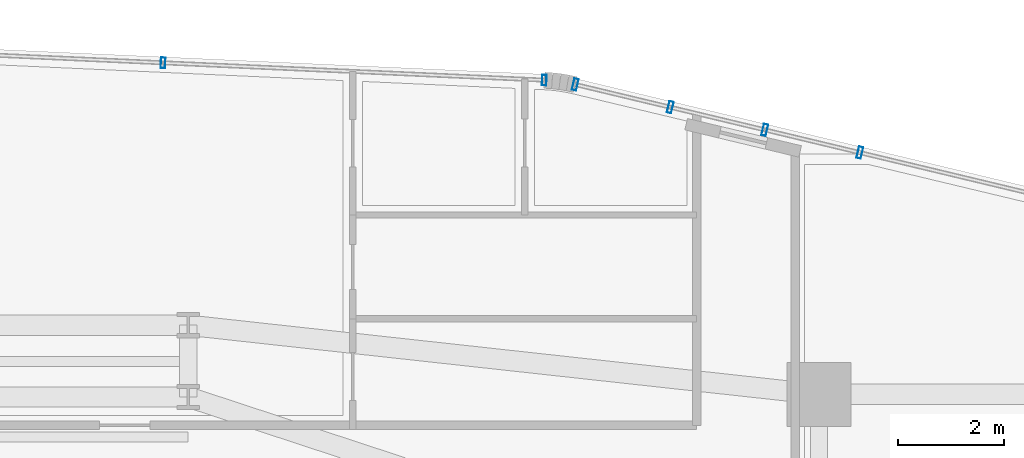
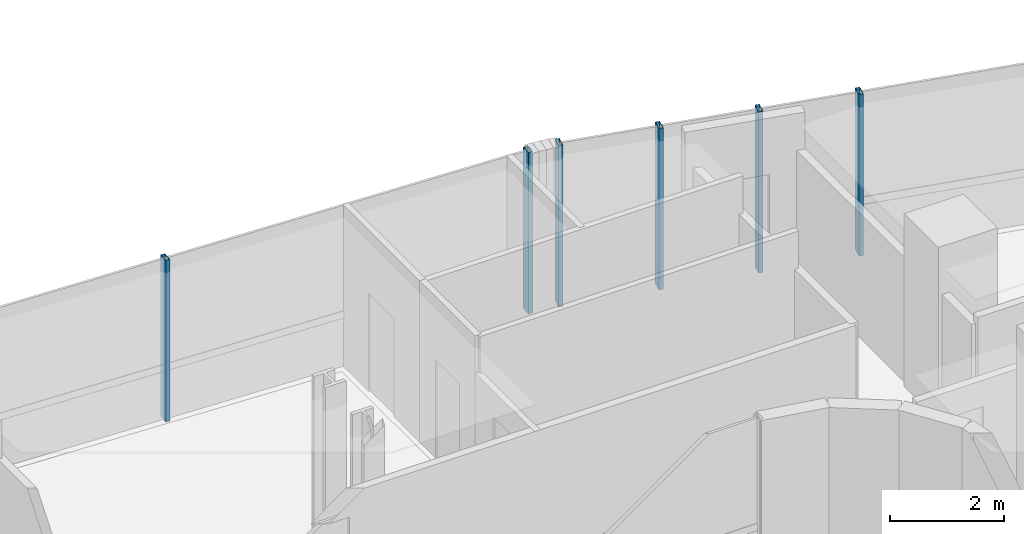
# One storey, part 22 of 35: 6 members, 2 elements without a shape of their own.
"""IFC4 building model written with IfcOpenShell, lengths in metres."""

import ifcopenshell
import ifcopenshell.guid

model = None  # the IFC model being written
_history = None  # IfcOwnerHistory: only IFC2X3 demands one
_inside = {}  # id of a spatial element -> (the spatial element, [elements in it])
_under = {}  # id of a project, library or spatial element -> (it, [spatial elements below it])
_declared = {}  # id of a project -> (the project, [libraries it declares])
_typed = {}  # id of a type object -> (the type object, [elements of that type])
_made_of = {}  # id of a material, layer set ... -> (it, [elements and type objects made of it])


def new_model(schema):
    """Start an empty IFC model of exactly this schema.

    Asked for "IFC4X3", IfcOpenShell would pick the latest addendum, in which some entities
    have other attributes; the version numbers below select the first issue.
    IFC2X3 requires an IfcOwnerHistory on every rooted entity: one is made here for all.
    """
    global model, _history
    if schema == "IFC4X3":
        model = ifcopenshell.file(schema_version=(4, 3, 0, 0))
    else:
        model = ifcopenshell.file(schema=schema)
    _inside.clear()
    _under.clear()
    _declared.clear()
    _typed.clear()
    _made_of.clear()
    _history = None
    if model.schema == "IFC2X3":
        org = make("IfcOrganization", Name="unknown")
        user = make(
            "IfcPersonAndOrganization",
            ThePerson=make("IfcPerson", FamilyName="unknown"),
            TheOrganization=org,
        )
        app = make(
            "IfcApplication",
            ApplicationDeveloper=org,
            Version="unknown",
            ApplicationFullName="unknown",
            ApplicationIdentifier="unknown",
        )
        _history = make(
            "IfcOwnerHistory",
            OwningUser=user,
            OwningApplication=app,
            ChangeAction="ADDED",
            CreationDate=0,
        )
    return model


def make(cls, **values):
    """One entity of the class cls with the attributes given. An attribute that is None is left unset."""
    return model.create_entity(
        cls, **{name: value for name, value in values.items() if value is not None}
    )


def rooted(cls, **values):
    """An entity with a GlobalId (a new one), such as an element, a storey or a relation."""
    return make(cls, GlobalId=ifcopenshell.guid.new(), OwnerHistory=_history, **values)


def si_unit(unit_type, name, prefix=None):
    """IfcSIUnit, for example si_unit("LENGTHUNIT", "METRE", prefix="MILLI")."""
    return make("IfcSIUnit", UnitType=unit_type, Prefix=prefix, Name=name)


def assignment(units):
    """IfcUnitAssignment: the units of a project."""
    return None if units is None else make("IfcUnitAssignment", Units=units)


def point(xyz):
    """IfcCartesianPoint."""
    return None if xyz is None else make("IfcCartesianPoint", Coordinates=xyz)


def direction(xyz):
    """IfcDirection."""
    return None if xyz is None else make("IfcDirection", DirectionRatios=xyz)


def frame(location, z_axis=None, x_axis=None):
    """IfcAxis2Placement3D, a coordinate frame: its origin and axes. An axis left out is left unset."""
    return make(
        "IfcAxis2Placement3D",
        Location=point(location),
        Axis=direction(z_axis),
        RefDirection=direction(x_axis),
    )


def frame_2d(location, x_axis=None):
    """IfcAxis2Placement2D, a coordinate frame in the plane: its origin and x axis."""
    return make(
        "IfcAxis2Placement2D", Location=point(location), RefDirection=direction(x_axis)
    )


def origin():
    """The frame at (0, 0, 0) with its axes left unset."""
    return frame((0.0, 0.0, 0.0))


def origin_2d():
    """The frame at (0, 0) in the plane with its x axis left unset."""
    return frame_2d((0.0, 0.0))


def place(relative_to, where):
    """IfcLocalPlacement: puts the frame where relative to a parent placement (None: the world)."""
    return make(
        "IfcLocalPlacement", PlacementRelTo=relative_to, RelativePlacement=where
    )


def context(
    kind, dimensions, precision=None, world=None, true_north=None, identifier=None
):
    """IfcGeometricRepresentationContext, for example the 3D "Model" context."""
    return make(
        "IfcGeometricRepresentationContext",
        ContextIdentifier=identifier,
        ContextType=kind,
        CoordinateSpaceDimension=dimensions,
        Precision=precision,
        WorldCoordinateSystem=world,
        TrueNorth=true_north,
    )


def subcontext(parent, identifier, kind, view, scale=None):
    """IfcGeometricRepresentationSubContext, for example "Body" below "Model"."""
    return make(
        "IfcGeometricRepresentationSubContext",
        ContextIdentifier=identifier,
        ContextType=kind,
        ParentContext=parent,
        TargetScale=scale,
        TargetView=view,
    )


def project(units=None, contexts=None):
    """IfcProject with its units and contexts."""
    return rooted(
        "IfcProject",
        Name="project",
        RepresentationContexts=contexts,
        UnitsInContext=assignment(units),
    )


def spatial(cls, under=None, at=None, **own):
    """A site, building, storey or space (cls), placed at a placement, below another one or the project."""
    s = rooted(cls, ObjectPlacement=at, **own)
    if under is not None:
        _under.setdefault(under.id(), (under, []))[1].append(s)
    return s


def profile(cls, at=None, kind="AREA", **sizes):
    """A parametric profile (cls). Its sizes go by their IFC names, for example OverallWidth=200.0."""
    return make(cls, ProfileType=kind, Position=at, **sizes)


def hollow_rectangle(**sizes):
    """IfcRectangleHollowProfileDef."""
    return profile("IfcRectangleHollowProfileDef", **sizes)


def extrude(swept, where, along, depth):
    """IfcExtrudedAreaSolid: the profile swept, set in the frame where, extruded along a direction by depth."""
    return make(
        "IfcExtrudedAreaSolid",
        SweptArea=swept,
        Position=where,
        ExtrudedDirection=direction(along),
        Depth=depth,
    )


def shape(context_of_items, identifier, shape_type, items):
    """IfcShapeRepresentation: the items that make up one representation, for example the "Body"."""
    return make(
        "IfcShapeRepresentation",
        ContextOfItems=context_of_items,
        RepresentationIdentifier=identifier,
        RepresentationType=shape_type,
        Items=items,
    )


def source(mapping_origin, context_of_items, identifier, shape_type, items):
    """IfcRepresentationMap: a shape defined once, which mapped items show again and again."""
    return make(
        "IfcRepresentationMap",
        MappingOrigin=mapping_origin,
        MappedRepresentation=shape(context_of_items, identifier, shape_type, items),
    )


def transform(
    local_origin,
    x_axis=None,
    y_axis=None,
    z_axis=None,
    scale=None,
    scale2=None,
    scale3=None,
    uniform=True,
):
    """IfcCartesianTransformationOperator3D, or its non-uniform kind. x_axis, y_axis, z_axis: its Axis1, 2, 3."""
    if uniform:
        return make(
            "IfcCartesianTransformationOperator3D",
            Axis1=direction(x_axis),
            Axis2=direction(y_axis),
            LocalOrigin=point(local_origin),
            Scale=scale,
            Axis3=direction(z_axis),
        )
    return make(
        "IfcCartesianTransformationOperator3DnonUniform",
        Axis1=direction(x_axis),
        Axis2=direction(y_axis),
        LocalOrigin=point(local_origin),
        Scale=scale,
        Axis3=direction(z_axis),
        Scale2=scale2,
        Scale3=scale3,
    )


def mapped(mapping_source, mapping_target):
    """IfcMappedItem: shows the shape of a source again, moved by a transform."""
    return make(
        "IfcMappedItem", MappingSource=mapping_source, MappingTarget=mapping_target
    )


def material(Name=None, Category=None):
    """IfcMaterial."""
    return make("IfcMaterial", Name=Name, Category=Category)


def material_profile(
    of_material, cross_section, Name=None, Category=None, Priority=None
):
    """IfcMaterialProfile: a cross section and its material."""
    return make(
        "IfcMaterialProfile",
        Name=Name,
        Material=of_material,
        Profile=cross_section,
        Priority=Priority,
        Category=Category,
    )


def profile_set(profiles, Name=None, composite=None):
    """IfcMaterialProfileSet."""
    return make(
        "IfcMaterialProfileSet",
        Name=Name,
        MaterialProfiles=profiles,
        CompositeProfile=composite,
    )


def made_of(thing, what):
    """Note that an element or type object is made of a material, layer set ...; save() writes the relation."""
    if what is not None:
        _made_of.setdefault(what.id(), (what, []))[1].append(thing)
    return thing


def type_object(cls, material=None, **own):
    """A type object (cls), such as IfcWallType, which elements share."""
    return made_of(rooted(cls, **own), material)


def element(
    cls,
    number,
    at=None,
    inside=None,
    cuts=None,
    type_object=None,
    material=None,
    context=None,
    identifier="Body",
    shape_type=None,
    held_by="IfcProductDefinitionShape",
    body=None,
    shapes=None,
    **own,
):
    """One element of the class cls, such as IfcWall. Its Tag is "e" and its number.

    at: its placement. inside: the storey or other place that contains it. cuts: it is an
    opening in that element (IfcRelVoidsElement). A single representation is given by context,
    identifier, shape_type and body (its items); several are given by shapes. held_by: the class
    of the entity that holds the representations. save() writes the other relations.
    """
    e = rooted(cls, Tag="e%d" % number, ObjectPlacement=at, **own)
    if body is not None:
        shapes = [shape(context, identifier, shape_type, body)]
    if shapes is not None:
        e.Representation = make(held_by, Representations=shapes)
    if inside is not None:
        _inside.setdefault(inside.id(), (inside, []))[1].append(e)
    if cuts is not None:
        rooted(
            "IfcRelVoidsElement", RelatingBuildingElement=cuts, RelatedOpeningElement=e
        )
    if type_object is not None:
        _typed.setdefault(type_object.id(), (type_object, []))[1].append(e)
    return made_of(e, material)


def aggregate(whole, parts):
    """IfcRelAggregates: a whole, such as a stair, and the parts it consists of."""
    return rooted("IfcRelAggregates", RelatingObject=whole, RelatedObjects=parts)


def save(model, path):
    """Write the relations noted so far, then the file.

    IfcRelAggregates (storeys below a building ...), IfcRelContainedInSpatialStructure (elements
    in a storey), IfcRelDefinesByType, IfcRelAssociatesMaterial and IfcRelDeclares: one each for
    every whole, place, type object, material and project.
    """
    for whole, parts in _under.values():
        aggregate(whole, parts)
    for where, things in _inside.values():
        rooted(
            "IfcRelContainedInSpatialStructure",
            RelatedElements=things,
            RelatingStructure=where,
        )
    for kind, things in _typed.values():
        rooted("IfcRelDefinesByType", RelatedObjects=things, RelatingType=kind)
    for what, things in _made_of.values():
        rooted("IfcRelAssociatesMaterial", RelatedObjects=things, RelatingMaterial=what)
    for by, libraries in _declared.values():
        rooted("IfcRelDeclares", RelatingContext=by, RelatedDefinitions=libraries)
    model.write(path)


model = new_model("IFC4")

# Units and contexts
model_context = context("Model", 3, precision=1e-05, world=origin(), true_north=direction((0.0, 1.0)))
body_context = subcontext(model_context, "Body", "Model", "MODEL_VIEW")
ifc_project = project(units=[si_unit("LENGTHUNIT", "METRE"), si_unit("AREAUNIT", "SQUARE_METRE"), si_unit("VOLUMEUNIT", "CUBIC_METRE"), si_unit("PLANEANGLEUNIT", "RADIAN"), si_unit("MASSUNIT", "GRAM", prefix="KILO")], contexts=[model_context])

# Site, building, storey
site_placement = place(None, origin())
site = spatial("IfcSite", under=ifc_project, at=site_placement, CompositionType="ELEMENT")
building_placement = place(site_placement, origin())
building = spatial("IfcBuilding", under=site, at=building_placement, Name="Valdorenza Pilgrim Sanctuary Tower", CompositionType="ELEMENT")
storey_placement = place(building_placement, frame((0.0, 0.0, 105.699951171875)))
storey = spatial("IfcBuildingStorey", under=building, at=storey_placement, Name="L26", CompositionType="ELEMENT", Elevation=105.699951171875)

# Curtain wall, members
ifc_material_1 = material(Name="Curtain-wall IGU glazing", Category="glass")
curtain_wall_type_1 = type_object("IfcCurtainWallType", Name="CW-SYS-02", PredefinedType="NOTDEFINED", material=ifc_material_1)
curtain_wall_1_placement = place(storey_placement, origin())
curtain_wall_1 = element("IfcCurtainWall", 1, at=curtain_wall_1_placement, inside=storey, type_object=curtain_wall_type_1, Name="L26 Curtain Wall CW-L26-1-11", PredefinedType="NOTDEFINED")
ifc_material_2 = material(Name="Anodised aluminium AW-6060", Category="aluminium")
ifc_material_profile_1 = material_profile(ifc_material_2, hollow_rectangle(XDim=0.0849609375, YDim=0.199951171875, WallThickness=0.0048828125, at=origin_2d()), Name="ALU-M 200x85x5")
ifc_profile_set_1 = profile_set([ifc_material_profile_1], Name="Anodised aluminium AW-6060")
member_type_1 = type_object("IfcMemberType", Name="CW-MUL-02", PredefinedType="MULLION", material=ifc_profile_set_1)
shared_shape_1 = source(origin(), body_context, "Body", "SweptSolid", [
    extrude(hollow_rectangle(XDim=0.0849609375, YDim=0.199951171875, WallThickness=0.0048828125, at=origin_2d()), origin(), (0.0, 0.0, 1.0), 3.4599609375),
])
member_1_placement = place(storey_placement, frame((3.528076171875, 19.7294921875, 0.0), z_axis=(0.0, 0.0, 1.0), x_axis=(0.998968193221, -0.045415294044, 0.0)))
member_1 = element("IfcMember", 2, at=member_1_placement, type_object=member_type_1, Name="CW-L26-1-11 Mullion 3", PredefinedType="MULLION", context=body_context, shape_type="MappedRepresentation", body=[
    mapped(shared_shape_1, transform((0.0, 0.0, 0.0), x_axis=(1.0, 0.0, 0.0), y_axis=(0.0, 1.0, 0.0), z_axis=(0.0, 0.0, 1.0), scale=1.0)),
])
member_2_placement = place(storey_placement, frame((10.68994140625, 19.404052734375, 0.0), z_axis=(0.0, 0.0, 1.0), x_axis=(0.998968193221, -0.045415294044, 0.0)))
member_2 = element("IfcMember", 3, at=member_2_placement, type_object=member_type_1, Name="CW-L26-1-11 Mullion 4", PredefinedType="MULLION", context=body_context, shape_type="MappedRepresentation", body=[
    mapped(shared_shape_1, transform((0.0, 0.0, 0.0), x_axis=(1.0, 0.0, 0.0), y_axis=(0.0, 1.0, 0.0), z_axis=(0.0, 0.0, 1.0), scale=1.0)),
])
aggregate(curtain_wall_1, [member_1, member_2])

curtain_wall_type_2 = type_object("IfcCurtainWallType", Name="CW-SYS-03", PredefinedType="NOTDEFINED", material=ifc_material_1)
curtain_wall_2_placement = place(storey_placement, origin())
curtain_wall_2 = element("IfcCurtainWall", 4, at=curtain_wall_2_placement, inside=storey, type_object=curtain_wall_type_2, Name="L26 Curtain Wall CW-L26-1-16", PredefinedType="NOTDEFINED")
ifc_material_profile_2 = material_profile(ifc_material_2, hollow_rectangle(XDim=0.0849609375, YDim=0.219970703125, WallThickness=0.0048828125, at=origin_2d()), Name="ALU-M 220x85x5")
ifc_profile_set_2 = profile_set([ifc_material_profile_2], Name="Anodised aluminium AW-6060")
member_type_2 = type_object("IfcMemberType", Name="CW-MUL-03", PredefinedType="MULLION", material=ifc_profile_set_2)
shared_shape_2 = source(origin(), body_context, "Body", "SweptSolid", [
    extrude(hollow_rectangle(XDim=0.0849609375, YDim=0.219970703125, WallThickness=0.0048828125, at=origin_2d()), origin(), (0.0, 0.0, 1.0), 3.4599609375),
])
member_3_placement = place(storey_placement, frame((11.271484375, 19.322021484375, 0.0), z_axis=(0.0, 0.0, 1.0), x_axis=(0.972528596343, -0.232783438617, 0.0)))
member_3 = element("IfcMember", 5, at=member_3_placement, type_object=member_type_2, Name="CW-L26-1-16 Mullion 1", PredefinedType="MULLION", context=body_context, shape_type="MappedRepresentation", body=[
    mapped(shared_shape_2, transform((0.0, 0.0, 0.0), x_axis=(1.0, 0.0, 0.0), y_axis=(0.0, 1.0, 0.0), z_axis=(0.0, 0.0, 1.0), scale=1.0)),
])
member_4_placement = place(storey_placement, frame((16.617919921875, 18.042236328125, 0.0), z_axis=(0.0, 0.0, 1.0), x_axis=(0.972528596343, -0.232783438617, 0.0)))
member_4 = element("IfcMember", 6, at=member_4_placement, type_object=member_type_2, Name="CW-L26-1-16 Mullion 2", PredefinedType="MULLION", context=body_context, shape_type="MappedRepresentation", body=[
    mapped(shared_shape_2, transform((0.0, 0.0, 0.0), x_axis=(1.0, 0.0, 0.0), y_axis=(0.0, 1.0, 0.0), z_axis=(0.0, 0.0, 1.0), scale=1.0)),
])
member_5_placement = place(storey_placement, frame((13.056884765625, 18.89453125, 0.0), z_axis=(0.0, 0.0, 1.0), x_axis=(0.972528596343, -0.232783438617, 0.0)))
member_5 = element("IfcMember", 7, at=member_5_placement, type_object=member_type_2, Name="CW-L26-1-16 Sub-Mullion 45-1", PredefinedType="MULLION", context=body_context, shape_type="MappedRepresentation", body=[
    mapped(shared_shape_2, transform((0.0, 0.0, 0.0), x_axis=(1.0, 0.0, 0.0), y_axis=(0.0, 1.0, 0.0), z_axis=(0.0, 0.0, 1.0), scale=1.0)),
])
member_6_placement = place(storey_placement, frame((14.83251953125, 18.469482421875, 0.0), z_axis=(0.0, 0.0, 1.0), x_axis=(0.972528596343, -0.232783438617, 0.0)))
member_6 = element("IfcMember", 8, at=member_6_placement, type_object=member_type_2, Name="CW-L26-1-16 Sub-Mullion 45-2", PredefinedType="MULLION", context=body_context, shape_type="MappedRepresentation", body=[
    mapped(shared_shape_2, transform((0.0, 0.0, 0.0), x_axis=(1.0, 0.0, 0.0), y_axis=(0.0, 1.0, 0.0), z_axis=(0.0, 0.0, 1.0), scale=1.0)),
])
aggregate(curtain_wall_2, [member_3, member_4, member_5, member_6])

save(model, "model.ifc")
